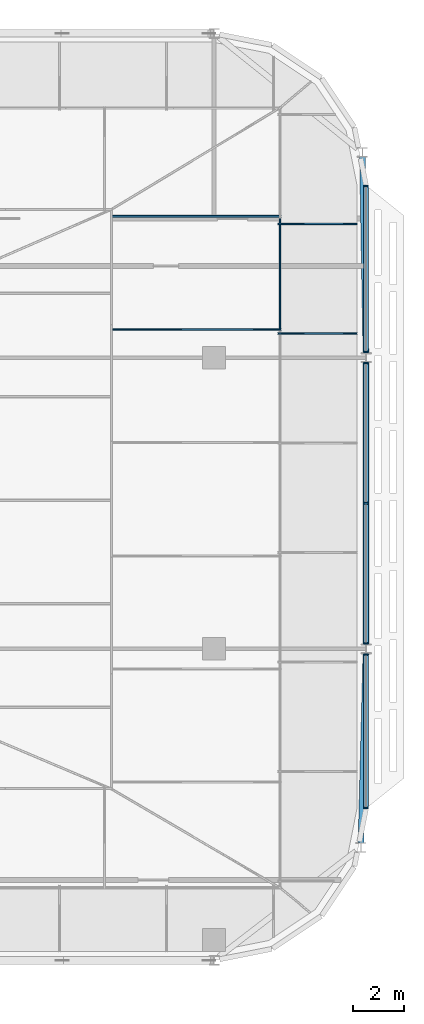
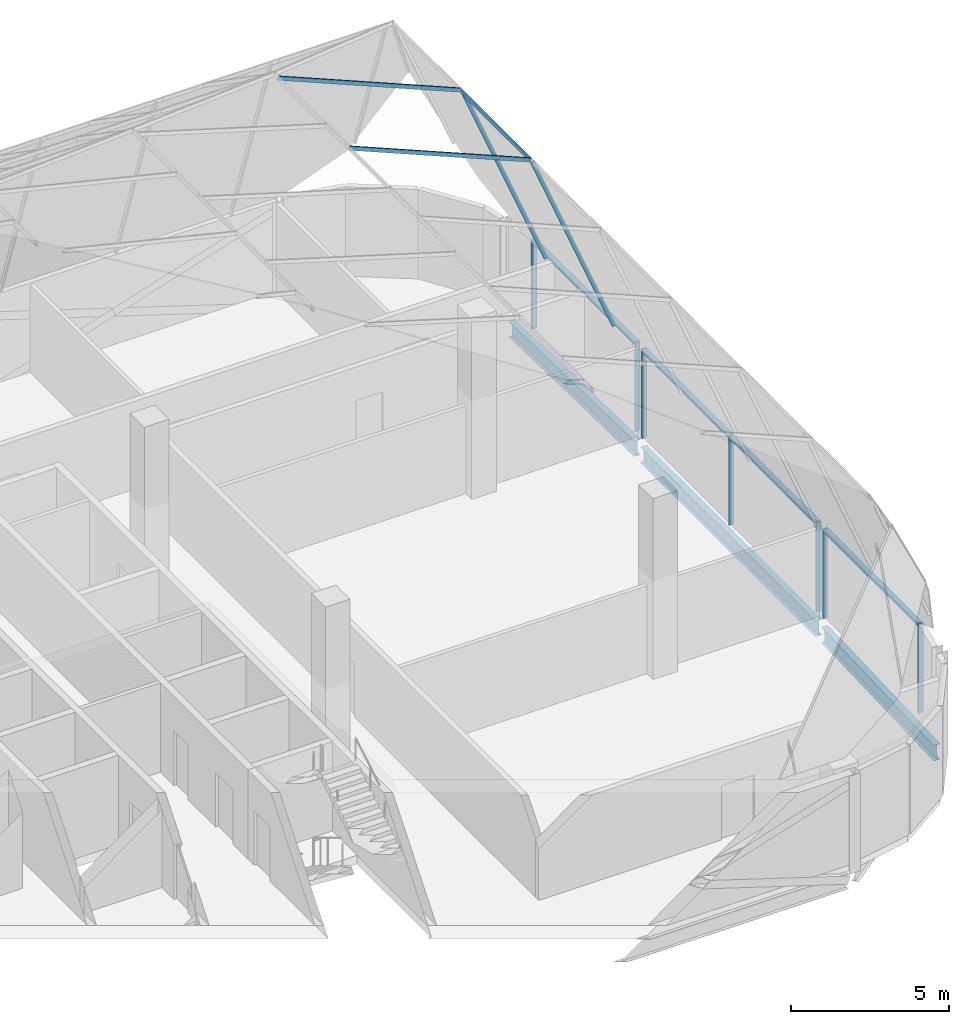
# One storey, part 17 of 39: 16 members, 3 beams, 5 elements without a shape of their own.
"""IFC4 building model written with IfcOpenShell, lengths in metres."""

from ifc_helpers import new_model, si_unit, direction, frame, origin, origin_2d, place, context, subcontext, project, spatial, rectangle, i_section, extrude, material, material_profile, profile_set, type_object, element, aggregate, save


model = new_model("IFC4")

# Units and contexts
model_context = context("Model", 3, precision=1e-05, world=origin(), true_north=direction((0.0, 1.0)))
body_context = subcontext(model_context, "Body", "Model", "MODEL_VIEW")
ifc_project = project(units=[si_unit("LENGTHUNIT", "METRE"), si_unit("AREAUNIT", "SQUARE_METRE"), si_unit("VOLUMEUNIT", "CUBIC_METRE"), si_unit("PLANEANGLEUNIT", "RADIAN"), si_unit("MASSUNIT", "GRAM", prefix="KILO")], contexts=[model_context])

# Site, building, storey
site_placement = place(None, origin())
site = spatial("IfcSite", under=ifc_project, at=site_placement, CompositionType="ELEMENT")
building_placement = place(site_placement, origin())
building = spatial("IfcBuilding", under=site, at=building_placement, Name="Mahtab Terrace Research Tower", CompositionType="ELEMENT")
storey_placement = place(building_placement, frame((0.0, 0.0, 282.300048828125)))
storey = spatial("IfcBuildingStorey", under=building, at=storey_placement, Name="L69", CompositionType="ELEMENT", Elevation=282.300048828125)

# Curtain wall, members
ifc_material_1 = material(Name="Crown faceted glass roof")
curtain_wall_type_1 = type_object("IfcCurtainWallType", Name="Crown faceted glass roof", PredefinedType="NOTDEFINED", material=ifc_material_1)
curtain_wall_1_placement = place(storey_placement, origin())
curtain_wall_1 = element("IfcCurtainWall", 1, at=curtain_wall_1_placement, inside=storey, type_object=curtain_wall_type_1, Name="CROWN.E0", PredefinedType="NOTDEFINED")
ifc_material_2 = material(Name="Natural anodised aluminium", Category="aluminium")
ifc_material_profile_1 = material_profile(ifc_material_2, rectangle(XDim=0.06005859375, YDim=0.139892578125, at=origin_2d()), Name="MULLION 60x140")
ifc_profile_set_1 = profile_set([ifc_material_profile_1], Name="Natural anodised aluminium")
member_type_1 = type_object("IfcMemberType", Name="Crown faceted glass roof mullion", PredefinedType="MULLION", material=ifc_profile_set_1)
member_1_placement = place(storey_placement, frame((47.585205078125, 12.454833984375, 3.773681640625), z_axis=(-0.375919413042, 0.0, 0.926652359247), x_axis=(0.0, -1.0, 0.0)))
member_1 = element("IfcMember", 2, at=member_1_placement, type_object=member_type_1, Name="CWC-E1 mullion 6", PredefinedType="MULLION", context=body_context, shape_type="SweptSolid", body=[
    extrude(rectangle(XDim=0.06005859375, YDim=0.139892578125, at=origin_2d()), origin(), (0.0, 0.0, 1.0), 7.985595703125),
])
member_2_placement = place(storey_placement, frame((47.585205078125, 16.781494140625, 3.773681640625), z_axis=(-0.375919413042, 0.0, 0.926652359247), x_axis=(0.0, -1.0, 0.0)))
member_2 = element("IfcMember", 3, at=member_2_placement, type_object=member_type_1, Name="CWC-E1 mullion 7", PredefinedType="MULLION", context=body_context, shape_type="SweptSolid", body=[
    extrude(rectangle(XDim=0.06005859375, YDim=0.139892578125, at=origin_2d()), origin(), (0.0, 0.0, 1.0), 7.985595703125),
])
aggregate(curtain_wall_1, [member_1, member_2])

curtain_wall_2_placement = place(storey_placement, origin())
curtain_wall_2 = element("IfcCurtainWall", 4, at=curtain_wall_2_placement, inside=storey, type_object=curtain_wall_type_1, Name="CROWN.E1", PredefinedType="NOTDEFINED")
member_3_placement = place(storey_placement, frame((44.62109375, 12.614501953125, 11.135498046875), z_axis=(-0.922072437217, 0.0, 0.38701733879), x_axis=(0.0, -1.0, 0.0)))
member_3 = element("IfcMember", 5, at=member_3_placement, type_object=member_type_1, Name="CWC-E2 mullion 5", PredefinedType="MULLION", context=body_context, shape_type="SweptSolid", body=[
    extrude(rectangle(XDim=0.06005859375, YDim=0.139892578125, at=origin_2d()), origin(), (0.0, 0.0, 1.0), 7.23486328125),
])
member_4_placement = place(storey_placement, frame((44.62109375, 17.084228515625, 11.135498046875), z_axis=(-0.922072437217, 0.0, 0.38701733879), x_axis=(0.0, -1.0, 0.0)))
member_4 = element("IfcMember", 6, at=member_4_placement, type_object=member_type_1, Name="CWC-E2 mullion 6", PredefinedType="MULLION", context=body_context, shape_type="SweptSolid", body=[
    extrude(rectangle(XDim=0.06005859375, YDim=0.139892578125, at=origin_2d()), origin(), (0.0, 0.0, 1.0), 7.23486328125),
])
ifc_material_profile_2 = material_profile(ifc_material_2, rectangle(XDim=0.06005859375, YDim=0.139892578125, at=origin_2d()), Name="TRANSOM 60x140")
ifc_profile_set_2 = profile_set([ifc_material_profile_2], Name="Natural anodised aluminium")
member_type_2 = type_object("IfcMemberType", Name="Crown faceted glass roof transom", PredefinedType="USERDEFINED", material=ifc_profile_set_2)
member_5_placement = place(storey_placement, frame((44.598388671875, 12.58349609375, 11.150634765625), z_axis=(0.0, 1.0, 0.0), x_axis=(-1.0, 0.0, 0.0)))
member_5 = element("IfcMember", 7, at=member_5_placement, type_object=member_type_2, Name="CWC-E2 transom 6", ObjectType="TRANSOM", PredefinedType="USERDEFINED", context=body_context, shape_type="SweptSolid", body=[
    extrude(rectangle(XDim=0.06005859375, YDim=0.139892578125, at=origin_2d()), origin(), (0.0, 0.0, 1.0), 4.412109375),
])
aggregate(curtain_wall_2, [member_3, member_4, member_5])

ifc_material_3 = material(Name="Office ribbon curtain wall")
curtain_wall_type_2 = type_object("IfcCurtainWallType", Name="Office ribbon curtain wall", PredefinedType="NOTDEFINED", material=ifc_material_3)
curtain_wall_3_placement = place(storey_placement, origin())
curtain_wall_3 = element("IfcCurtainWall", 8, at=curtain_wall_3_placement, inside=storey, type_object=curtain_wall_type_2, Name="EN.L69.18.35", PredefinedType="NOTDEFINED")
ifc_material_profile_3 = material_profile(ifc_material_2, rectangle(XDim=0.179931640625, YDim=0.06005859375, at=origin_2d()), Name="MULLION 60x180")
ifc_profile_set_3 = profile_set([ifc_material_profile_3], Name="Natural anodised aluminium")
member_type_3 = type_object("IfcMemberType", Name="Office ribbon curtain wall mullion", PredefinedType="MULLION", material=ifc_profile_set_3)
member_6_placement = place(storey_placement, frame((48.0, -6.277099609375, 0.0), z_axis=(0.0, 0.0, 1.0), x_axis=(-1.0, 0.0, 0.0)))
member_6 = element("IfcMember", 9, at=member_6_placement, type_object=member_type_3, Name="CWO-8 mullion 1", PredefinedType="MULLION", context=body_context, shape_type="SweptSolid", body=[
    extrude(rectangle(XDim=0.179931640625, YDim=0.06005859375, at=origin_2d()), origin(), (0.0, 0.0, 1.0), 3.4599609375),
])
member_7_placement = place(storey_placement, frame((48.0, -0.218017578125, 0.0), z_axis=(0.0, 0.0, 1.0), x_axis=(-1.0, 0.0, 0.0)))
member_7 = element("IfcMember", 10, at=member_7_placement, type_object=member_type_3, Name="CWO-8 mullion 2", PredefinedType="MULLION", context=body_context, shape_type="SweptSolid", body=[
    extrude(rectangle(XDim=0.179931640625, YDim=0.06005859375, at=origin_2d()), origin(), (0.0, 0.0, 1.0), 3.4599609375),
])

curtain_wall_4_placement = place(storey_placement, origin())
curtain_wall_4 = element("IfcCurtainWall", 11, at=curtain_wall_4_placement, inside=storey, type_object=curtain_wall_type_2, Name="EN.L69.18.36", PredefinedType="NOTDEFINED")
member_8_placement = place(storey_placement, frame((48.0, 0.218017578125, 0.0), z_axis=(0.0, 0.0, 1.0), x_axis=(-1.0, 0.0, 0.0)))
member_8 = element("IfcMember", 12, at=member_8_placement, type_object=member_type_3, Name="CWO-8 mullion 1", PredefinedType="MULLION", context=body_context, shape_type="SweptSolid", body=[
    extrude(rectangle(XDim=0.179931640625, YDim=0.06005859375, at=origin_2d()), origin(), (0.0, 0.0, 1.0), 3.4599609375),
])
member_9_placement = place(storey_placement, frame((48.0, 5.75, 0.0), z_axis=(0.0, 0.0, 1.0), x_axis=(-1.0, 0.0, 0.0)))
member_9 = element("IfcMember", 13, at=member_9_placement, type_object=member_type_3, Name="CWO-8 mullion 2", PredefinedType="MULLION", context=body_context, shape_type="SweptSolid", body=[
    extrude(rectangle(XDim=0.179931640625, YDim=0.06005859375, at=origin_2d()), origin(), (0.0, 0.0, 1.0), 3.4599609375),
])
member_10_placement = place(storey_placement, frame((48.0, 11.281982421875, 0.0), z_axis=(0.0, 0.0, 1.0), x_axis=(-1.0, 0.0, 0.0)))
member_10 = element("IfcMember", 14, at=member_10_placement, type_object=member_type_3, Name="CWO-8 mullion 3", PredefinedType="MULLION", context=body_context, shape_type="SweptSolid", body=[
    extrude(rectangle(XDim=0.179931640625, YDim=0.06005859375, at=origin_2d()), origin(), (0.0, 0.0, 1.0), 3.4599609375),
])

curtain_wall_5_placement = place(storey_placement, origin())
curtain_wall_5 = element("IfcCurtainWall", 15, at=curtain_wall_5_placement, inside=storey, type_object=curtain_wall_type_2, Name="EN.L69.18.37", PredefinedType="NOTDEFINED")
member_11_placement = place(storey_placement, frame((48.0, 11.718017578125, 0.0), z_axis=(0.0, 0.0, 1.0), x_axis=(-1.0, 0.0, 0.0)))
member_11 = element("IfcMember", 16, at=member_11_placement, type_object=member_type_3, Name="CWO-8 mullion 1", PredefinedType="MULLION", context=body_context, shape_type="SweptSolid", body=[
    extrude(rectangle(XDim=0.179931640625, YDim=0.06005859375, at=origin_2d()), origin(), (0.0, 0.0, 1.0), 3.4599609375),
])
member_12_placement = place(storey_placement, frame((48.0, 18.277099609375, 0.0), z_axis=(0.0, 0.0, 1.0), x_axis=(-1.0, 0.0, 0.0)))
member_12 = element("IfcMember", 17, at=member_12_placement, type_object=member_type_3, Name="CWO-8 mullion 2", PredefinedType="MULLION", context=body_context, shape_type="SweptSolid", body=[
    extrude(rectangle(XDim=0.179931640625, YDim=0.06005859375, at=origin_2d()), origin(), (0.0, 0.0, 1.0), 3.4599609375),
])

# Member
ifc_material_profile_4 = material_profile(ifc_material_2, rectangle(XDim=0.179931640625, YDim=0.10009765625, at=origin_2d()), Name="TRANSOM 100x180")
ifc_profile_set_4 = profile_set([ifc_material_profile_4], Name="Natural anodised aluminium")
member_type_4 = type_object("IfcMemberType", Name="Office ribbon curtain wall transom", PredefinedType="USERDEFINED", material=ifc_profile_set_4)
member_13_placement = place(storey_placement, frame((48.0, -6.2470703125, 3.409912109375), z_axis=(0.0, 1.0, 0.0), x_axis=(-1.0, 0.0, 0.0)))
member_13 = element("IfcMember", 18, at=member_13_placement, type_object=member_type_4, Name="CWO-8 transom 1", ObjectType="TRANSOM", PredefinedType="USERDEFINED", context=body_context, shape_type="SweptSolid", body=[
    extrude(rectangle(XDim=0.179931640625, YDim=0.10009765625, at=origin_2d()), origin(), (0.0, 0.0, 1.0), 5.9990234375),
])

aggregate(curtain_wall_3, [member_6, member_7, member_13])

member_14_placement = place(storey_placement, frame((48.0, 0.248046875, 3.409912109375), z_axis=(0.0, 1.0, 0.0), x_axis=(-1.0, 0.0, 0.0)))
member_14 = element("IfcMember", 19, at=member_14_placement, type_object=member_type_4, Name="CWO-8 transom 1", ObjectType="TRANSOM", PredefinedType="USERDEFINED", context=body_context, shape_type="SweptSolid", body=[
    extrude(rectangle(XDim=0.179931640625, YDim=0.10009765625, at=origin_2d()), origin(), (0.0, 0.0, 1.0), 5.471923828125),
])

member_15_placement = place(storey_placement, frame((48.0, 5.780029296875, 3.409912109375), z_axis=(0.0, 1.0, 0.0), x_axis=(-1.0, 0.0, 0.0)))
member_15 = element("IfcMember", 20, at=member_15_placement, type_object=member_type_4, Name="CWO-8 transom 2", ObjectType="TRANSOM", PredefinedType="USERDEFINED", context=body_context, shape_type="SweptSolid", body=[
    extrude(rectangle(XDim=0.179931640625, YDim=0.10009765625, at=origin_2d()), origin(), (0.0, 0.0, 1.0), 5.471923828125),
])

aggregate(curtain_wall_4, [member_8, member_9, member_10, member_14, member_15])

member_16_placement = place(storey_placement, frame((48.0, 11.748046875, 3.409912109375), z_axis=(0.0, 1.0, 0.0), x_axis=(-1.0, 0.0, 0.0)))
member_16 = element("IfcMember", 21, at=member_16_placement, type_object=member_type_4, Name="CWO-8 transom 1", ObjectType="TRANSOM", PredefinedType="USERDEFINED", context=body_context, shape_type="SweptSolid", body=[
    extrude(rectangle(XDim=0.179931640625, YDim=0.10009765625, at=origin_2d()), origin(), (0.0, 0.0, 1.0), 6.4990234375),
])

aggregate(curtain_wall_5, [member_11, member_12, member_16])

# Beams
ifc_material_4 = material(Name="Steel ASTM A992 Gr 50", Category="steel")
ifc_material_profile_5 = material_profile(ifc_material_4, i_section(OverallWidth=0.228271484375, OverallDepth=0.607177734375, WebThickness=0.01123046875, FlangeThickness=0.017333984375, at=origin_2d()), Name="W24X76")
ifc_profile_set_5 = profile_set([ifc_material_profile_5], Name="Steel ASTM A992 Gr 50")
beam_type = type_object("IfcBeamType", Name="W24x76 beam BS2476", PredefinedType="BEAM", material=ifc_profile_set_5)
beam_1_placement = place(storey_placement, frame((47.802734375, -7.66015625, -0.6435546875), z_axis=(0.025738056343, 0.999668721355, 0.0), x_axis=(-0.999668721355, 0.025738056343, 0.0)))
element("IfcBeam", 22, at=beam_1_placement, inside=storey, type_object=beam_type, Name="Spandrel beam L69 22", PredefinedType="BEAM", context=body_context, shape_type="SweptSolid", body=[
    extrude(i_section(OverallWidth=0.228271484375, OverallDepth=0.607177734375, WebThickness=0.01123046875, FlangeThickness=0.017333984375, at=origin_2d()), origin(), (0.0, 0.0, 1.0), 7.474609375),
])
beam_2_placement = place(storey_placement, frame((48.0, 0.18798828125, -0.6435546875), z_axis=(0.0, 1.0, 0.0), x_axis=(-1.0, 0.0, 0.0)))
element("IfcBeam", 23, at=beam_2_placement, inside=storey, type_object=beam_type, Name="Spandrel beam L69 23", PredefinedType="BEAM", context=body_context, shape_type="SweptSolid", body=[
    extrude(i_section(OverallWidth=0.228271484375, OverallDepth=0.607177734375, WebThickness=0.01123046875, FlangeThickness=0.017333984375, at=origin_2d()), origin(), (0.0, 0.0, 1.0), 11.1240234375),
])
beam_3_placement = place(storey_placement, frame((47.99658203125, 11.68798828125, -0.6435546875), z_axis=(-0.017623139265, 0.999844700422, 0.0), x_axis=(-0.999844700422, -0.017623139265, 0.0)))
element("IfcBeam", 24, at=beam_3_placement, inside=storey, type_object=beam_type, Name="Spandrel beam L69 24", PredefinedType="BEAM", context=body_context, shape_type="SweptSolid", body=[
    extrude(i_section(OverallWidth=0.228271484375, OverallDepth=0.607177734375, WebThickness=0.01123046875, FlangeThickness=0.017333984375, at=origin_2d()), origin(), (0.0, 0.0, 1.0), 7.730224609375),
])

save(model, "model.ifc")
